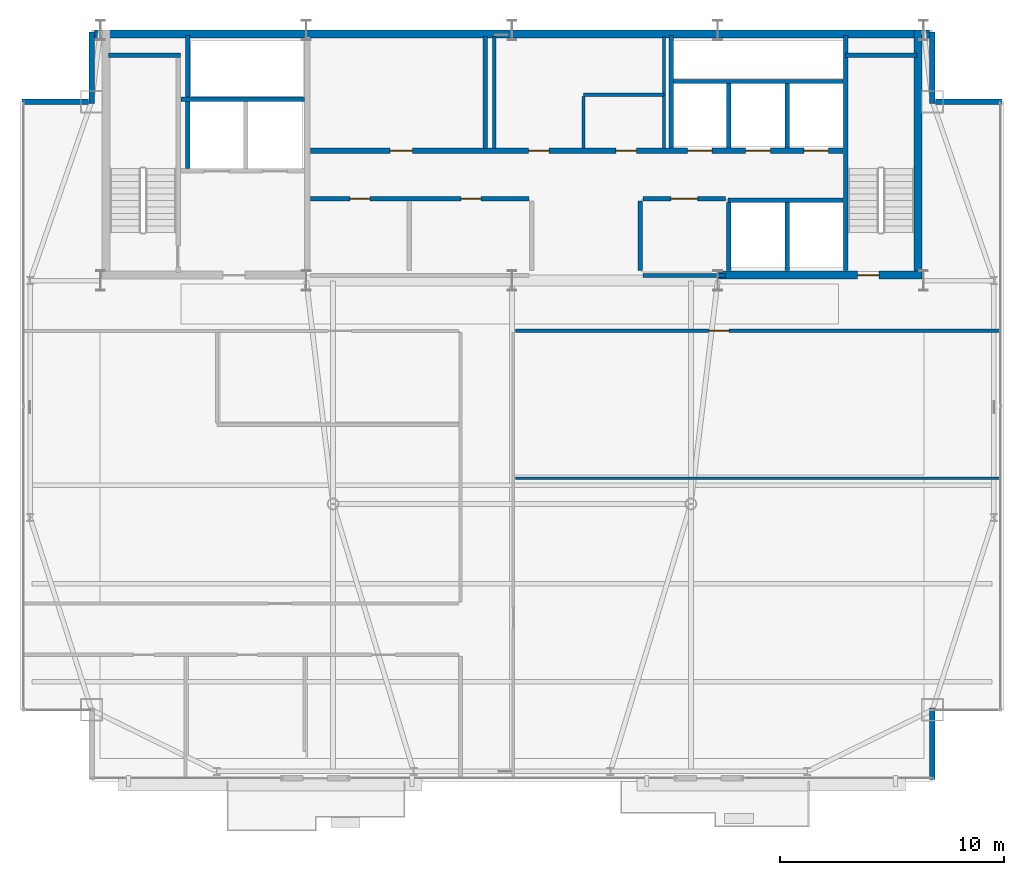
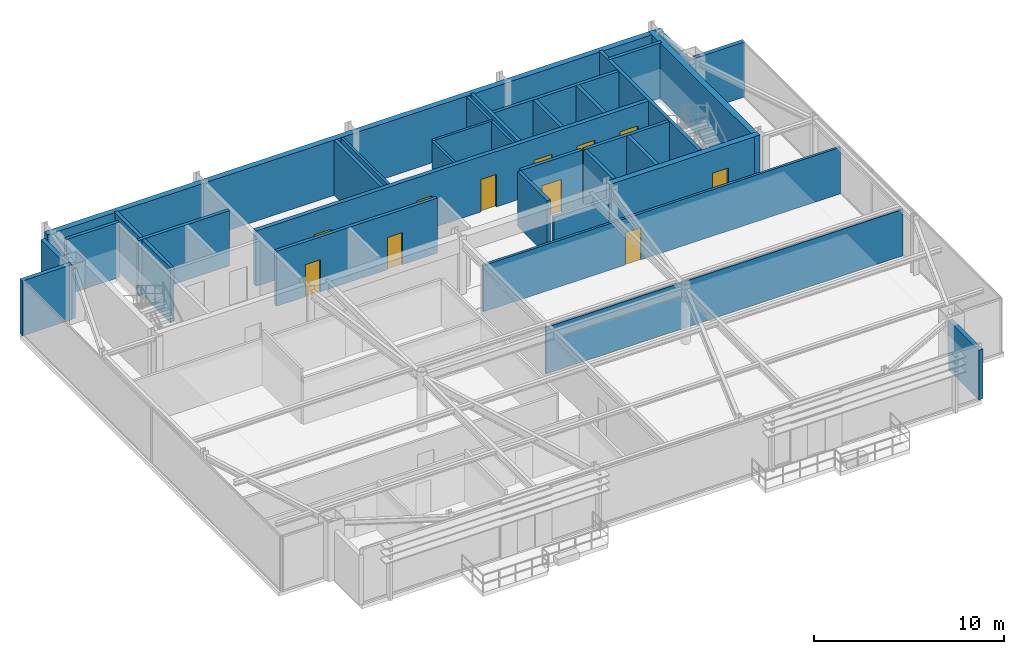
# One storey, part 21 of 24: 32 walls, 11 doors, 11 openings.
"""IFC4 building model written with IfcOpenShell, lengths in metres."""

from ifc_helpers import new_model, si_unit, direction, frame, frame_2d, origin, place, context, subcontext, project, spatial, rectangle, extrude, source, transform, mapped, material, layer, layer_set, type_object, type_shapes, element, fill, save


model = new_model("IFC4")

# Units and contexts
model_context = context("Model", 3, precision=1e-05, world=origin(), true_north=direction((0.0, 1.0)))
body_context = subcontext(model_context, "Body", "Model", "MODEL_VIEW")
ifc_project = project(units=[si_unit("LENGTHUNIT", "METRE"), si_unit("AREAUNIT", "SQUARE_METRE"), si_unit("VOLUMEUNIT", "CUBIC_METRE"), si_unit("PLANEANGLEUNIT", "RADIAN"), si_unit("MASSUNIT", "GRAM", prefix="KILO")], contexts=[model_context])

# Site, building, storey
site_placement = place(None, origin())
site = spatial("IfcSite", under=ifc_project, at=site_placement, CompositionType="ELEMENT")
building_placement = place(site_placement, origin())
building = spatial("IfcBuilding", under=site, at=building_placement, Name="Varnel Quay Broadcast Tower", CompositionType="ELEMENT")
storey_placement = place(building_placement, frame((0.0, 0.0, 281.199951171875)))
storey = spatial("IfcBuildingStorey", under=building, at=storey_placement, Name="L70", CompositionType="ELEMENT", Elevation=281.199951171875)

# Walls
ifc_material_1 = material(Name="Concrete CSA A23.3 C50/60", Category="concrete")
ifc_layer_1 = layer(ifc_material_1, 0.199951171875, Name="Concrete CSA A23.3 C50/60")
ifc_layer_set_1 = layer_set([ifc_layer_1], Name="Concrete CSA A23.3 C50/60")
wall_type_1 = type_object("IfcWallType", Name="Wall_CoreShaftShear200", PredefinedType="SHEAR", material=ifc_layer_set_1)
wall_1_placement = place(storey_placement, frame((15.949951171875, 45.679931640625, 0.0), z_axis=(0.0, 0.0, 1.0), x_axis=(1.0, 0.0, 0.0)))
element("IfcWall", 1, at=wall_1_placement, inside=storey, type_object=wall_type_1, Name="L70 Stair 1 North Structural Wall", PredefinedType="SHEAR", context=body_context, shape_type="SweptSolid", body=[
    extrude(rectangle(XDim=3.22998046875, YDim=0.199951171875, at=frame_2d((1.614990234375, 0.0))), origin(), (0.0, 0.0, 1.0), 3.550048828125),
])
wall_2_placement = place(storey_placement, frame((19.199951171875, 43.699951171875, 0.0), z_axis=(0.0, 0.0, 1.0), x_axis=(1.0, 0.0, 0.0)))
element("IfcWall", 2, at=wall_2_placement, inside=storey, type_object=wall_type_1, Name="L70 Firefighter Lift Shaft Rear Wall", PredefinedType="SHEAR", context=body_context, shape_type="SweptSolid", body=[
    extrude(rectangle(XDim=5.52001953125, YDim=0.199951171875, at=frame_2d((2.760009765625, 0.0))), origin(), (0.0, 0.0, 1.0), 3.550048828125),
])
wall_3_placement = place(storey_placement, frame((19.5, 40.60009765625, 0.0), z_axis=(0.0, 0.0, 1.0), x_axis=(0.0, 1.0, 0.0)))
element("IfcWall", 3, at=wall_3_placement, inside=storey, type_object=wall_type_1, Name="L70 Firefighter Lift Shaft West Wall", PredefinedType="SHEAR", context=body_context, shape_type="SweptSolid", body=[
    extrude(rectangle(XDim=5.949951171875, YDim=0.199951171875, at=frame_2d((2.97509765625, 0.0))), origin(), (0.0, 0.0, 1.0), 3.550048828125),
])
wall_4_placement = place(storey_placement, frame((48.919921875, 36.050048828125, 0.0), z_axis=(0.0, 0.0, 1.0), x_axis=(0.0, 1.0, 0.0)))
element("IfcWall", 4, at=wall_4_placement, inside=storey, type_object=wall_type_1, Name="L70 Stair 2 West Structural Wall", PredefinedType="SHEAR", context=body_context, shape_type="SweptSolid", body=[
    extrude(rectangle(XDim=10.5, YDim=0.199951171875, at=frame_2d((5.25, 0.0))), origin(), (0.0, 0.0, 1.0), 3.550048828125),
])
wall_5_placement = place(storey_placement, frame((48.919921875, 45.679931640625, 0.0), z_axis=(0.0, 0.0, 1.0), x_axis=(1.0, 0.0, 0.0)))
element("IfcWall", 5, at=wall_5_placement, inside=storey, type_object=wall_type_1, Name="L70 Stair 2 North Structural Wall", PredefinedType="SHEAR", context=body_context, shape_type="SweptSolid", body=[
    extrude(rectangle(XDim=3.18017578125, YDim=0.199951171875, at=frame_2d((1.590087890625, 0.0))), origin(), (0.0, 0.0, 1.0), 3.550048828125),
])
wall_6_placement = place(storey_placement, frame((41.219970703125, 44.5, 0.0), z_axis=(0.0, 0.0, 1.0), x_axis=(1.0, 0.0, 0.0)))
element("IfcWall", 6, at=wall_6_placement, inside=storey, type_object=wall_type_1, Name="L70 High-Rise Lift Shaft Rear Wall", PredefinedType="SHEAR", context=body_context, shape_type="SweptSolid", body=[
    extrude(rectangle(XDim=7.580078125, YDim=0.199951171875, at=frame_2d((3.7900390625, 0.0))), origin(), (0.0, 0.0, 1.0), 3.550048828125),
])
wall_7_placement = place(storey_placement, frame((41.1201171875, 41.530029296875, 0.0), z_axis=(0.0, 0.0, 1.0), x_axis=(0.0, 1.0, 0.0)))
element("IfcWall", 7, at=wall_7_placement, inside=storey, type_object=wall_type_1, Name="L70 High-Rise Lift Shaft Divider 1", PredefinedType="SHEAR", context=body_context, shape_type="SweptSolid", body=[
    extrude(rectangle(XDim=5.02001953125, YDim=0.199951171875, at=frame_2d((2.510009765625, 0.0))), origin(), (0.0, 0.0, 1.0), 3.550048828125),
])
for number, where, z_axis, x_axis, name in (
    (8, (43.699951171875, 41.530029296875, 0.0), (0.0, 0.0, 1.0), (0.0, 1.0, 0.0), "L70 High-Rise Lift Shaft Divider 2"),
    (9, (46.300048828125, 41.530029296875, 0.0), (0.0, 0.0, 1.0), (0.0, 1.0, 0.0), "L70 High-Rise Lift Shaft Divider 3"),
):
    element("IfcWall", number, at=place(storey_placement, frame(where, z_axis=z_axis, x_axis=x_axis)), inside=storey, type_object=wall_type_1, Name=name, PredefinedType="SHEAR", context=body_context, shape_type="SweptSolid", body=[
        extrude(rectangle(XDim=2.869873046875, YDim=0.199951171875, at=frame_2d((1.43505859375, 0.0))), origin(), (0.0, 0.0, 1.0), 3.550048828125),
    ])
for number, where, z_axis, x_axis, name in (
    (10, (43.699951171875, 36.050048828125, 0.0), (0.0, 0.0, 1.0), (0.0, 1.0, 0.0), "L70 Express Lift Shaft West Wall"),
    (11, (46.300048828125, 36.050048828125, 0.0), (0.0, 0.0, 1.0), (0.0, 1.0, 0.0), "L70 Express Lift Shaft Divider"),
):
    element("IfcWall", number, at=place(storey_placement, frame(where, z_axis=z_axis, x_axis=x_axis)), inside=storey, type_object=wall_type_1, Name=name, PredefinedType="SHEAR", context=body_context, shape_type="SweptSolid", body=[
        extrude(rectangle(XDim=3.050048828125, YDim=0.199951171875, at=frame_2d((1.52490234375, 0.0))), origin(), (0.0, 0.0, 1.0), 3.550048828125),
    ])
wall_8_placement = place(storey_placement, frame((43.64990234375, 39.199951171875, 0.0), z_axis=(0.0, 0.0, 1.0), x_axis=(1.0, 0.0, 0.0)))
element("IfcWall", 12, at=wall_8_placement, inside=storey, type_object=wall_type_1, Name="L70 Express Lift Shaft North Front Wall", PredefinedType="SHEAR", context=body_context, shape_type="SweptSolid", body=[
    extrude(rectangle(XDim=5.150146484375, YDim=0.199951171875, at=frame_2d((2.5751953125, 0.0))), origin(), (0.0, 0.0, 1.0), 3.550048828125),
])

# Wall, openings, doors
ifc_layer_2 = layer(ifc_material_1, 0.25, Name="Concrete CSA A23.3 C50/60")
ifc_layer_set_2 = layer_set([ifc_layer_2], Name="Concrete CSA A23.3 C50/60")
wall_type_2 = type_object("IfcWallType", Name="Wall_CoreShaftShear250", PredefinedType="SHEAR", material=ifc_layer_set_2)
wall_9_placement = place(storey_placement, frame((24.97998046875, 41.39990234375, 0.0), z_axis=(0.0, 0.0, 1.0), x_axis=(1.0, 0.0, 0.0)))
wall_9 = element("IfcWall", 13, at=wall_9_placement, inside=storey, type_object=wall_type_2, Name="L70 North Lift Bank & Reclaimed Suite Wall", PredefinedType="SHEAR", context=body_context, shape_type="SweptSolid", body=[
    extrude(rectangle(XDim=23.820068359375, YDim=0.25, at=frame_2d((11.91015625, 0.0))), origin(), (0.0, 0.0, 1.0), 3.550048828125),
])
opening_1_placement = place(wall_9_placement, frame((16.8701171875, 0.0, 0.0)))
opening_1 = element("IfcOpeningElement", 14, at=opening_1_placement, cuts=wall_9, Name="Opening LD-L70-PH-01", PredefinedType="OPENING", context=body_context, shape_type="SweptSolid", body=[
    extrude(rectangle(XDim=1.10009765625, YDim=2.179931640625, at=frame_2d((0.550048828125, 1.08984375))), frame((0.0, 0.135009765625, 0.0), z_axis=(0.0, -1.0, 0.0), x_axis=(1.0, 0.0, 0.0)), (0.0, 0.0, 1.0), 0.27001953125),
])
opening_2_placement = place(wall_9_placement, frame((19.469970703125, 0.0, 0.0)))
opening_2 = element("IfcOpeningElement", 15, at=opening_2_placement, cuts=wall_9, Name="Opening LD-L70-PH-02", PredefinedType="OPENING", context=body_context, shape_type="SweptSolid", body=[
    extrude(rectangle(XDim=1.10009765625, YDim=2.179931640625, at=frame_2d((0.550048828125, 1.08984375))), frame((0.0, 0.135009765625, 0.0), z_axis=(0.0, -1.0, 0.0), x_axis=(1.0, 0.0, 0.0)), (0.0, 0.0, 1.0), 0.27001953125),
])
opening_3_placement = place(wall_9_placement, frame((22.070068359375, 0.0, 0.0)))
opening_3 = element("IfcOpeningElement", 16, at=opening_3_placement, cuts=wall_9, Name="Opening LD-L70-PH-03", PredefinedType="OPENING", context=body_context, shape_type="SweptSolid", body=[
    extrude(rectangle(XDim=1.10009765625, YDim=2.179931640625, at=frame_2d((0.550048828125, 1.08984375))), frame((0.0, 0.135009765625, 0.0), z_axis=(0.0, -1.0, 0.0), x_axis=(1.0, 0.0, 0.0)), (0.0, 0.0, 1.0), 0.27001953125),
])
opening_4_placement = place(wall_9_placement, frame((3.56005859375, 0.0, 0.0)))
opening_4 = element("IfcOpeningElement", 17, at=opening_4_placement, cuts=wall_9, Name="Opening D-L70-RECA1", PredefinedType="OPENING", context=body_context, shape_type="SweptSolid", body=[
    extrude(rectangle(XDim=1.0, YDim=2.080078125, at=frame_2d((0.5, 1.0400390625))), frame((0.0, 0.135009765625, 0.0), z_axis=(0.0, -1.0, 0.0), x_axis=(1.0, 0.0, 0.0)), (0.0, 0.0, 1.0), 0.27001953125),
])
opening_5_placement = place(wall_9_placement, frame((9.760009765625, 0.0, 0.0)))
opening_5 = element("IfcOpeningElement", 18, at=opening_5_placement, cuts=wall_9, Name="Opening D-L70-RECB1", PredefinedType="OPENING", context=body_context, shape_type="SweptSolid", body=[
    extrude(rectangle(XDim=0.919921875, YDim=2.080078125, at=frame_2d((0.4599609375, 1.0400390625))), frame((0.0, 0.135009765625, 0.0), z_axis=(0.0, -1.0, 0.0), x_axis=(1.0, 0.0, 0.0)), (0.0, 0.0, 1.0), 0.27001953125),
])
opening_6_placement = place(wall_9_placement, frame((13.659912109375, 0.0, 0.0)))
opening_6 = element("IfcOpeningElement", 19, at=opening_6_placement, cuts=wall_9, Name="Opening D-L70-RECB2", PredefinedType="OPENING", context=body_context, shape_type="SweptSolid", body=[
    extrude(rectangle(XDim=0.919921875, YDim=2.080078125, at=frame_2d((0.4599609375, 1.0400390625))), frame((0.0, 0.135009765625, 0.0), z_axis=(0.0, -1.0, 0.0), x_axis=(1.0, 0.0, 0.0)), (0.0, 0.0, 1.0), 0.27001953125),
])
ifc_material_2 = material(Name="Brushed Bronze-Stainless Lift Car & Sliding Doors", Category="steel")
door_type_1 = type_object("IfcDoorType", Name="Door_LiftLanding1100", OperationType="SLIDING_TO_LEFT", PredefinedType="DOOR", material=ifc_material_2)
shared_shape_1 = source(origin(), body_context, "Body", "SweptSolid", [
    extrude(rectangle(XDim=1.10009765625, YDim=2.179931640625, at=frame_2d((0.550048828125, 1.08984375))), frame((0.0, 0.02490234375, 0.0), z_axis=(0.0, -1.0, 0.0), x_axis=(1.0, 0.0, 0.0)), (0.0, 0.0, 1.0), 0.050048828125),
])
type_shapes(door_type_1, [shared_shape_1])
door_1_placement = place(opening_1_placement, frame((1.10009765625, 0.0, 0.0), z_axis=(0.0, 0.0, 1.0), x_axis=(-1.0, 0.0, 0.0)))
door_1 = element("IfcDoor", 20, at=door_1_placement, inside=storey, type_object=door_type_1, Name="L70 Lift PH-01 Landing Door", OperationType="SLIDING_TO_LEFT", OverallHeight=2.179931640625, OverallWidth=1.10009765625, PredefinedType="DOOR", context=body_context, shape_type="MappedRepresentation", body=[
    mapped(shared_shape_1, transform((0.0, 0.0, 0.0), x_axis=(1.0, 0.0, 0.0), y_axis=(0.0, 1.0, 0.0), z_axis=(0.0, 0.0, 1.0), scale=1.0)),
])
fill(opening_1, door_1)
door_2_placement = place(opening_2_placement, frame((1.10009765625, 0.0, 0.0), z_axis=(0.0, 0.0, 1.0), x_axis=(-1.0, 0.0, 0.0)))
door_2 = element("IfcDoor", 21, at=door_2_placement, inside=storey, type_object=door_type_1, Name="L70 Lift PH-02 Landing Door", OperationType="SLIDING_TO_LEFT", OverallHeight=2.179931640625, OverallWidth=1.10009765625, PredefinedType="DOOR", context=body_context, shape_type="MappedRepresentation", body=[
    mapped(shared_shape_1, transform((0.0, 0.0, 0.0), x_axis=(1.0, 0.0, 0.0), y_axis=(0.0, 1.0, 0.0), z_axis=(0.0, 0.0, 1.0), scale=1.0)),
])
fill(opening_2, door_2)
door_3_placement = place(opening_3_placement, frame((1.10009765625, 0.0, 0.0), z_axis=(0.0, 0.0, 1.0), x_axis=(-1.0, 0.0, 0.0)))
door_3 = element("IfcDoor", 22, at=door_3_placement, inside=storey, type_object=door_type_1, Name="L70 Lift PH-03 Landing Door", OperationType="SLIDING_TO_LEFT", OverallHeight=2.179931640625, OverallWidth=1.10009765625, PredefinedType="DOOR", context=body_context, shape_type="MappedRepresentation", body=[
    mapped(shared_shape_1, transform((0.0, 0.0, 0.0), x_axis=(1.0, 0.0, 0.0), y_axis=(0.0, 1.0, 0.0), z_axis=(0.0, 0.0, 1.0), scale=1.0)),
])
fill(opening_3, door_3)
ifc_material_3 = material(Name="Insulated Fire-Rated Hollow Steel Door", Category="steel")
door_type_2 = type_object("IfcDoorType", Name="Door_FireLobby1000", OperationType="NOTDEFINED", PredefinedType="DOOR", material=ifc_material_3)
shared_shape_2 = source(origin(), body_context, "Body", "SweptSolid", [
    extrude(rectangle(XDim=1.0, YDim=2.080078125, at=frame_2d((0.5, 1.0400390625))), frame((0.0, 0.02490234375, 0.0), z_axis=(0.0, -1.0, 0.0), x_axis=(1.0, 0.0, 0.0)), (0.0, 0.0, 1.0), 0.050048828125),
])
type_shapes(door_type_2, [shared_shape_2])
door_4_placement = place(opening_4_placement, origin())
door_4 = element("IfcDoor", 23, at=door_4_placement, inside=storey, type_object=door_type_2, Name="L70 Broadcast Ingest Server Hall Door", OperationType="SINGLE_SWING_LEFT", OverallHeight=2.080078125, OverallWidth=1.0, PredefinedType="DOOR", context=body_context, shape_type="MappedRepresentation", body=[
    mapped(shared_shape_2, transform((0.0, 0.0, 0.0), x_axis=(1.0, 0.0, 0.0), y_axis=(0.0, 1.0, 0.0), z_axis=(0.0, 0.0, 1.0), scale=1.0)),
])
fill(opening_4, door_4)
ifc_material_4 = material(Name="Solid-Core Fire-Rated Acoustic Oak Veneer Door", Category="wood")
door_type_3 = type_object("IfcDoorType", Name="Door_Office920", OperationType="NOTDEFINED", PredefinedType="DOOR", material=ifc_material_4)
shared_shape_3 = source(origin(), body_context, "Body", "SweptSolid", [
    extrude(rectangle(XDim=0.919921875, YDim=2.080078125, at=frame_2d((0.4599609375, 1.0400390625))), frame((0.0, 0.02490234375, 0.0), z_axis=(0.0, -1.0, 0.0), x_axis=(1.0, 0.0, 0.0)), (0.0, 0.0, 1.0), 0.050048828125),
])
type_shapes(door_type_3, [shared_shape_3])
door_5_placement = place(opening_5_placement, origin())
door_5 = element("IfcDoor", 24, at=door_5_placement, inside=storey, type_object=door_type_3, Name="L70 Acoustic Rack & Patch Suite Door", OperationType="SINGLE_SWING_RIGHT", OverallHeight=2.080078125, OverallWidth=0.919921875, PredefinedType="DOOR", context=body_context, shape_type="MappedRepresentation", body=[
    mapped(shared_shape_3, transform((0.0, 0.0, 0.0), x_axis=(1.0, 0.0, 0.0), y_axis=(0.0, 1.0, 0.0), z_axis=(0.0, 0.0, 1.0), scale=1.0)),
])
fill(opening_5, door_5)
door_6_placement = place(opening_6_placement, origin())
door_6 = element("IfcDoor", 25, at=door_6_placement, inside=storey, type_object=door_type_3, Name="L70 Production Tea Pantry Door", OperationType="SINGLE_SWING_LEFT", OverallHeight=2.080078125, OverallWidth=0.919921875, PredefinedType="DOOR", context=body_context, shape_type="MappedRepresentation", body=[
    mapped(shared_shape_3, transform((0.0, 0.0, 0.0), x_axis=(1.0, 0.0, 0.0), y_axis=(0.0, 1.0, 0.0), z_axis=(0.0, 0.0, 1.0), scale=1.0)),
])
fill(opening_6, door_6)

# Walls
ifc_layer_3 = layer(ifc_material_1, 0.35009765625, Name="Concrete CSA A23.3 C50/60")
ifc_layer_set_3 = layer_set([ifc_layer_3], Name="Concrete CSA A23.3 C50/60")
wall_type_3 = type_object("IfcWallType", Name="Wall_CoreShearExt350", PredefinedType="SHEAR", material=ifc_layer_set_3)
wall_10_placement = place(storey_placement, frame((15.324951171875, 46.625, 0.0), z_axis=(0.0, 0.0, 1.0), x_axis=(1.0, 0.0, 0.0)))
element("IfcWall", 26, at=wall_10_placement, inside=storey, type_object=wall_type_3, Name="L70 North Core Shear Wall", PredefinedType="SHEAR", context=body_context, shape_type="SweptSolid", body=[
    extrude(rectangle(XDim=37.35009765625, YDim=0.35009765625, at=frame_2d((18.675048828125, 0.0))), origin(), (0.0, 0.0, 1.0), 3.550048828125),
])
ifc_layer_4 = layer(ifc_material_1, 0.35009765625, Name="Concrete CSA A23.3 C50/60")
ifc_layer_set_4 = layer_set([ifc_layer_4], Name="Concrete CSA A23.3 C50/60")
wall_type_4 = type_object("IfcWallType", Name="Wall_CoreShearInt350", PredefinedType="SHEAR", material=ifc_layer_set_4)
wall_11_placement = place(storey_placement, frame((52.155029296875, 35.669921875, 0.0), z_axis=(0.0, 0.0, 1.0), x_axis=(0.0, 1.0, 0.0)))
element("IfcWall", 27, at=wall_11_placement, inside=storey, type_object=wall_type_4, Name="L70 East Core Shear Wall", PredefinedType="SHEAR", context=body_context, shape_type="SweptSolid", body=[
    extrude(rectangle(XDim=11.130126953125, YDim=0.35009765625, at=frame_2d((5.56494140625, 0.0))), origin(), (0.0, 0.0, 1.0), 3.550048828125),
])

# Wall, opening, door
wall_12_placement = place(storey_placement, frame((43.199951171875, 35.844970703125, 0.0), z_axis=(0.0, 0.0, 1.0), x_axis=(1.0, 0.0, 0.0)))
wall_12 = element("IfcWall", 28, at=wall_12_placement, inside=storey, type_object=wall_type_4, Name="L70 South-East Core Shear Wall", PredefinedType="SHEAR", context=body_context, shape_type="SweptSolid", body=[
    extrude(rectangle(XDim=9.130126953125, YDim=0.35009765625, at=frame_2d((4.56494140625, 0.0))), origin(), (0.0, 0.0, 1.0), 3.550048828125),
])
opening_7_placement = place(wall_12_placement, frame((6.25, 0.0, 0.0)))
opening_7 = element("IfcOpeningElement", 29, at=opening_7_placement, cuts=wall_12, Name="Opening D-L70-S2", PredefinedType="OPENING", context=body_context, shape_type="SweptSolid", body=[
    extrude(rectangle(XDim=0.949951171875, YDim=2.10009765625, at=frame_2d((0.47509765625, 1.050048828125))), frame((0.0, 0.18505859375, 0.0), z_axis=(0.0, -1.0, 0.0), x_axis=(1.0, 0.0, 0.0)), (0.0, 0.0, 1.0), 0.3701171875),
])
door_type_4 = type_object("IfcDoorType", Name="Door_FireStair950", OperationType="NOTDEFINED", PredefinedType="DOOR", material=ifc_material_3)
shared_shape_4 = source(origin(), body_context, "Body", "SweptSolid", [
    extrude(rectangle(XDim=0.949951171875, YDim=2.10009765625, at=frame_2d((0.47509765625, 1.050048828125))), frame((0.0, 0.02490234375, 0.0), z_axis=(0.0, -1.0, 0.0), x_axis=(1.0, 0.0, 0.0)), (0.0, 0.0, 1.0), 0.050048828125),
])
type_shapes(door_type_4, [shared_shape_4])
door_7_placement = place(opening_7_placement, origin())
door_7 = element("IfcDoor", 30, at=door_7_placement, inside=storey, type_object=door_type_4, Name="L70 Stair 2 Fire Door", OperationType="SINGLE_SWING_RIGHT", OverallHeight=2.10009765625, OverallWidth=0.949951171875, PredefinedType="DOOR", context=body_context, shape_type="MappedRepresentation", body=[
    mapped(shared_shape_4, transform((0.0, 0.0, 0.0), x_axis=(1.0, 0.0, 0.0), y_axis=(0.0, 1.0, 0.0), z_axis=(0.0, 0.0, 1.0), scale=1.0)),
])
fill(opening_7, door_7)

# Walls
ifc_material_5 = material(Name="Precast Architectural Concrete C40/50", Category="concrete")
ifc_layer_5 = layer(ifc_material_5, 0.25, Name="Precast Architectural Concrete C40/50")
ifc_layer_set_5 = layer_set([ifc_layer_5], Name="Precast Architectural Concrete C40/50")
wall_type_5 = type_object("IfcWallType", Name="Wall_ExtTerrace250", PredefinedType="SOLIDWALL", material=ifc_layer_set_5)
wall_13_placement = place(storey_placement, frame((52.800048828125, 13.280029296875, 0.0), z_axis=(0.0, 0.0, 1.0), x_axis=(0.0, 1.0, 0.0)))
element("IfcWall", 31, at=wall_13_placement, inside=storey, type_object=wall_type_5, Name="L70 Mega-Column Notch Cladding Wall NSE2", PredefinedType="SOLIDWALL", context=body_context, shape_type="SweptSolid", body=[
    extrude(rectangle(XDim=3.199951171875, YDim=0.25, at=frame_2d((1.60009765625, 0.0))), origin(), (0.0, 0.0, 1.0), 3.171142578125),
])
wall_14_placement = place(storey_placement, frame((12.080078125, 43.60009765625, 0.0), z_axis=(0.0, 0.0, 1.0), x_axis=(1.0, 0.0, 0.0)))
element("IfcWall", 32, at=wall_14_placement, inside=storey, type_object=wall_type_5, Name="L70 Mega-Column Notch Cladding Wall NNW1", PredefinedType="SOLIDWALL", context=body_context, shape_type="SweptSolid", body=[
    extrude(rectangle(XDim=2.989990234375, YDim=0.25, at=frame_2d((1.4951171875, 0.0))), origin(), (0.0, 0.0, 1.0), 3.530029296875),
])
wall_15_placement = place(storey_placement, frame((15.199951171875, 43.52001953125, 0.0), z_axis=(0.0, 0.0, 1.0), x_axis=(0.0, 1.0, 0.0)))
element("IfcWall", 33, at=wall_15_placement, inside=storey, type_object=wall_type_5, Name="L70 Mega-Column Notch Cladding Wall NNW2", PredefinedType="SOLIDWALL", context=body_context, shape_type="SweptSolid", body=[
    extrude(rectangle(XDim=3.199951171875, YDim=0.25, at=frame_2d((1.60009765625, 0.0))), origin(), (0.0, 0.0, 1.0), 3.171142578125),
])
wall_16_placement = place(storey_placement, frame((52.929931640625, 43.60009765625, 0.0), z_axis=(0.0, 0.0, 1.0), x_axis=(1.0, 0.0, 0.0)))
element("IfcWall", 34, at=wall_16_placement, inside=storey, type_object=wall_type_5, Name="L70 Mega-Column Notch Cladding Wall NNE1", PredefinedType="SOLIDWALL", context=body_context, shape_type="SweptSolid", body=[
    extrude(rectangle(XDim=2.989990234375, YDim=0.25, at=frame_2d((1.4951171875, 0.0))), origin(), (0.0, 0.0, 1.0), 3.530029296875),
])
wall_17_placement = place(storey_placement, frame((52.800048828125, 43.52001953125, 0.0), z_axis=(0.0, 0.0, 1.0), x_axis=(0.0, 1.0, 0.0)))
element("IfcWall", 35, at=wall_17_placement, inside=storey, type_object=wall_type_5, Name="L70 Mega-Column Notch Cladding Wall NNE2", PredefinedType="SOLIDWALL", context=body_context, shape_type="SweptSolid", body=[
    extrude(rectangle(XDim=3.199951171875, YDim=0.25, at=frame_2d((1.60009765625, 0.0))), origin(), (0.0, 0.0, 1.0), 3.171142578125),
])
ifc_material_6 = material(Name="Concrete Blockwork Fire Enclosure C40/50", Category="masonry")
ifc_layer_6 = layer(ifc_material_6, 0.199951171875, Name="Concrete Blockwork Fire Enclosure C40/50")
ifc_layer_set_6 = layer_set([ifc_layer_6], Name="Concrete Blockwork Fire Enclosure C40/50")
wall_type_6 = type_object("IfcWallType", Name="Wall_FireShaft200", PredefinedType="SOLIDWALL", material=ifc_layer_set_6)
wall_18_placement = place(storey_placement, frame((39.85009765625, 35.824951171875, 0.0), z_axis=(0.0, 0.0, 1.0), x_axis=(1.0, 0.0, 0.0)))
element("IfcWall", 36, at=wall_18_placement, inside=storey, type_object=wall_type_6, Name="L70 Electrical Sub-Distribution Closet Partition 5", PredefinedType="SOLIDWALL", context=body_context, shape_type="SweptSolid", body=[
    extrude(rectangle(XDim=3.699951171875, YDim=0.199951171875, at=frame_2d((1.85009765625, 0.0))), origin(), (0.0, 0.0, 1.0), 2.574951171875),
])

# Wall, opening, door
wall_19_placement = place(storey_placement, frame((39.85009765625, 39.25, 0.0), z_axis=(0.0, 0.0, 1.0), x_axis=(1.0, 0.0, 0.0)))
wall_19 = element("IfcWall", 37, at=wall_19_placement, inside=storey, type_object=wall_type_6, Name="L70 Electrical Sub-Distribution Closet Partition 6", PredefinedType="SOLIDWALL", context=body_context, shape_type="SweptSolid", body=[
    extrude(rectangle(XDim=3.699951171875, YDim=0.199951171875, at=frame_2d((1.85009765625, 0.0))), origin(), (0.0, 0.0, 1.0), 3.530029296875),
])
opening_8_placement = place(wall_19_placement, frame((1.25, 0.0, 0.0)))
opening_8 = element("IfcOpeningElement", 38, at=opening_8_placement, cuts=wall_19, Name="Opening D-L70-03", PredefinedType="OPENING", context=body_context, shape_type="SweptSolid", body=[
    extrude(rectangle(XDim=1.199951171875, YDim=2.10009765625, at=frame_2d((0.60009765625, 1.050048828125))), frame((0.0, 0.10986328125, 0.0), z_axis=(0.0, -1.0, 0.0), x_axis=(1.0, 0.0, 0.0)), (0.0, 0.0, 1.0), 0.219970703125),
])
door_type_5 = type_object("IfcDoorType", Name="Door_Plant1200", OperationType="NOTDEFINED", PredefinedType="DOOR", material=ifc_material_3)
shared_shape_5 = source(origin(), body_context, "Body", "SweptSolid", [
    extrude(rectangle(XDim=1.199951171875, YDim=2.10009765625, at=frame_2d((0.60009765625, 1.050048828125))), frame((0.0, 0.02490234375, 0.0), z_axis=(0.0, -1.0, 0.0), x_axis=(1.0, 0.0, 0.0)), (0.0, 0.0, 1.0), 0.050048828125),
])
type_shapes(door_type_5, [shared_shape_5])
door_8_placement = place(opening_8_placement, origin())
door_8 = element("IfcDoor", 39, at=door_8_placement, inside=storey, type_object=door_type_5, Name="L70 Electrical Sub-Distribution Closet Door D-L70-03", OperationType="SINGLE_SWING_RIGHT", OverallHeight=2.10009765625, OverallWidth=1.199951171875, PredefinedType="DOOR", context=body_context, shape_type="MappedRepresentation", body=[
    mapped(shared_shape_5, transform((0.0, 0.0, 0.0), x_axis=(1.0, 0.0, 0.0), y_axis=(0.0, 1.0, 0.0), z_axis=(0.0, 0.0, 1.0), scale=1.0)),
])
fill(opening_8, door_8)

# Walls
wall_20_placement = place(storey_placement, frame((39.72509765625, 36.050048828125, 0.0), z_axis=(0.0, 0.0, 1.0), x_axis=(0.0, 1.0, 0.0)))
element("IfcWall", 40, at=wall_20_placement, inside=storey, type_object=wall_type_6, Name="L70 Electrical Sub-Distribution Closet Partition 7", PredefinedType="SOLIDWALL", context=body_context, shape_type="SweptSolid", body=[
    extrude(rectangle(XDim=3.099853515625, YDim=0.199951171875, at=frame_2d((1.5498046875, 0.0))), origin(), (0.0, 0.0, 1.0), 3.530029296875),
])
wall_21_placement = place(storey_placement, frame((32.800048828125, 41.5, 0.0), z_axis=(0.0, 0.0, 1.0), x_axis=(0.0, 1.0, 0.0)))
element("IfcWall", 41, at=wall_21_placement, inside=storey, type_object=wall_type_6, Name="L70 Broadcast Ingest Server Hall Partition 20", PredefinedType="SOLIDWALL", context=body_context, shape_type="SweptSolid", body=[
    extrude(rectangle(XDim=5.02001953125, YDim=0.199951171875, at=frame_2d((2.510009765625, 0.0))), origin(), (0.0, 0.0, 1.0), 3.530029296875),
])
ifc_material_7 = material(Name="Steel-Stud Fire-Rated Acoustic Gypsum Partition Assembly", Category="steel")
ifc_layer_7 = layer(ifc_material_7, 0.10498046875, Name="Steel-Stud Fire-Rated Acoustic Gypsum Partition Assembly")
ifc_layer_set_7 = layer_set([ifc_layer_7], Name="Steel-Stud Fire-Rated Acoustic Gypsum Partition Assembly")
wall_type_7 = type_object("IfcWallType", Name="Wall_Partition105", PredefinedType="PARTITIONING", material=ifc_layer_set_7)
wall_22_placement = place(storey_placement, frame((34.14990234375, 26.760009765625, 0.0), z_axis=(0.0, 0.0, 1.0), x_axis=(1.0, 0.0, 0.0)))
element("IfcWall", 42, at=wall_22_placement, inside=storey, type_object=wall_type_7, Name="L70 Camera Locker Store 6 Partition 17", PredefinedType="PARTITIONING", context=body_context, shape_type="SweptSolid", body=[
    extrude(rectangle(XDim=21.670166015625, YDim=0.10498046875, at=frame_2d((10.8349609375, 0.0))), origin(), (0.0, 0.0, 1.0), 2.98095703125),
])

# Wall, opening, door
ifc_layer_8 = layer(ifc_material_7, 0.14990234375, Name="Steel-Stud Fire-Rated Acoustic Gypsum Partition Assembly")
ifc_layer_set_8 = layer_set([ifc_layer_8], Name="Steel-Stud Fire-Rated Acoustic Gypsum Partition Assembly")
wall_type_8 = type_object("IfcWallType", Name="Wall_Partition150", PredefinedType="PARTITIONING", material=ifc_layer_set_8)
wall_23_placement = place(storey_placement, frame((34.14990234375, 33.35009765625, 0.0), z_axis=(0.0, 0.0, 1.0), x_axis=(1.0, 0.0, 0.0)))
wall_23 = element("IfcWall", 43, at=wall_23_placement, inside=storey, type_object=wall_type_8, Name="L70 Broadcast Newsroom 7 Partition 19", PredefinedType="PARTITIONING", context=body_context, shape_type="SweptSolid", body=[
    extrude(rectangle(XDim=21.670166015625, YDim=0.14990234375, at=frame_2d((10.8349609375, 0.0))), origin(), (0.0, 0.0, 1.0), 2.98095703125),
])
opening_9_placement = place(wall_23_placement, frame((8.639892578125, 0.0, 0.0)))
opening_9 = element("IfcOpeningElement", 44, at=opening_9_placement, cuts=wall_23, Name="Opening D-L70-10", PredefinedType="OPENING", context=body_context, shape_type="SweptSolid", body=[
    extrude(rectangle(XDim=0.919921875, YDim=2.080078125, at=frame_2d((0.4599609375, 1.0400390625))), frame((0.0, 0.0849609375, 0.0), z_axis=(0.0, -1.0, 0.0), x_axis=(1.0, 0.0, 0.0)), (0.0, 0.0, 1.0), 0.169921875),
])
door_9_placement = place(opening_9_placement, frame((0.919921875, 0.0, 0.0), z_axis=(0.0, 0.0, 1.0), x_axis=(-1.0, 0.0, 0.0)))
door_9 = element("IfcDoor", 45, at=door_9_placement, inside=storey, type_object=door_type_3, Name="L70 Broadcast Newsroom 7 Door D-L70-10", OperationType="SINGLE_SWING_LEFT", OverallHeight=2.080078125, OverallWidth=0.919921875, PredefinedType="DOOR", context=body_context, shape_type="MappedRepresentation", body=[
    mapped(shared_shape_3, transform((0.0, 0.0, 0.0), x_axis=(1.0, 0.0, 0.0), y_axis=(0.0, 1.0, 0.0), z_axis=(0.0, 0.0, 1.0), scale=1.0)),
])
fill(opening_9, door_9)

# Walls
wall_24_placement = place(storey_placement, frame((37.199951171875, 41.5, 0.0), z_axis=(0.0, 0.0, 1.0), x_axis=(0.0, 1.0, 0.0)))
element("IfcWall", 46, at=wall_24_placement, inside=storey, type_object=wall_type_8, Name="L70 Acoustic Rack & Patch Suite Partition 21", PredefinedType="PARTITIONING", context=body_context, shape_type="SweptSolid", body=[
    extrude(rectangle(XDim=2.324951171875, YDim=0.14990234375, at=frame_2d((1.16259765625, 0.0))), origin(), (0.0, 0.0, 1.0), 3.530029296875),
])
wall_25_placement = place(storey_placement, frame((37.199951171875, 43.89990234375, 0.0), z_axis=(0.0, 0.0, 1.0), x_axis=(1.0, 0.0, 0.0)))
element("IfcWall", 47, at=wall_25_placement, inside=storey, type_object=wall_type_8, Name="L70 Acoustic Rack & Patch Suite Partition 22", PredefinedType="PARTITIONING", context=body_context, shape_type="SweptSolid", body=[
    extrude(rectangle(XDim=3.60009765625, YDim=0.14990234375, at=frame_2d((1.800048828125, 0.0))), origin(), (0.0, 0.0, 1.0), 3.530029296875),
])
for number, where, z_axis, x_axis, name in (
    (48, (40.800048828125, 41.5, 0.0), (0.0, 0.0, 1.0), (0.0, 1.0, 0.0), "L70 Acoustic Rack & Patch Suite Partition 23"),
    (49, (33.199951171875, 41.5, 0.0), (0.0, 0.0, 1.0), (0.0, 1.0, 0.0), "L70 Acoustic Rack & Patch Suite Partition 24"),
):
    element("IfcWall", number, at=place(storey_placement, frame(where, z_axis=z_axis, x_axis=x_axis)), inside=storey, type_object=wall_type_8, Name=name, PredefinedType="PARTITIONING", context=body_context, shape_type="SweptSolid", body=[
        extrude(rectangle(XDim=5.02001953125, YDim=0.14990234375, at=frame_2d((2.510009765625, 0.0))), origin(), (0.0, 0.0, 1.0), 3.530029296875),
    ])

# Wall, openings, doors
ifc_material_8 = material(Name="Fire-Rated Moisture-Resistant Plumbing Chase Partition")
ifc_layer_9 = layer(ifc_material_8, 0.199951171875, Name="Fire-Rated Moisture-Resistant Plumbing Chase Partition")
ifc_layer_set_9 = layer_set([ifc_layer_9], Name="Fire-Rated Moisture-Resistant Plumbing Chase Partition")
wall_type_9 = type_object("IfcWallType", Name="Wall_Plumbing200", PredefinedType="PLUMBINGWALL", material=ifc_layer_set_9)
wall_26_placement = place(storey_placement, frame((25.0, 39.25, 0.0), z_axis=(0.0, 0.0, 1.0), x_axis=(1.0, 0.0, 0.0)))
wall_26 = element("IfcWall", 50, at=wall_26_placement, inside=storey, type_object=wall_type_9, Name="L70 Accessible Washroom Partition 3", PredefinedType="PLUMBINGWALL", context=body_context, shape_type="SweptSolid", body=[
    extrude(rectangle(XDim=9.75, YDim=0.199951171875, at=frame_2d((4.875, 0.0))), origin(), (0.0, 0.0, 1.0), 3.530029296875),
])
opening_10_placement = place(wall_26_placement, frame((1.75, 0.0, 0.0)))
opening_10 = element("IfcOpeningElement", 51, at=opening_10_placement, cuts=wall_26, Name="Opening D-L70-01", PredefinedType="OPENING", context=body_context, shape_type="SweptSolid", body=[
    extrude(rectangle(XDim=0.89990234375, YDim=2.06005859375, at=frame_2d((0.449951171875, 1.030029296875))), frame((0.0, 0.10986328125, 0.0), z_axis=(0.0, -1.0, 0.0), x_axis=(1.0, 0.0, 0.0)), (0.0, 0.0, 1.0), 0.219970703125),
])
opening_11_placement = place(wall_26_placement, frame((6.72509765625, 0.0, 0.0)))
opening_11 = element("IfcOpeningElement", 52, at=opening_11_placement, cuts=wall_26, Name="Opening D-L70-02", PredefinedType="OPENING", context=body_context, shape_type="SweptSolid", body=[
    extrude(rectangle(XDim=0.89990234375, YDim=2.06005859375, at=frame_2d((0.449951171875, 1.030029296875))), frame((0.0, 0.10986328125, 0.0), z_axis=(0.0, -1.0, 0.0), x_axis=(1.0, 0.0, 0.0)), (0.0, 0.0, 1.0), 0.219970703125),
])
door_type_6 = type_object("IfcDoorType", Name="Door_Washroom900", OperationType="NOTDEFINED", PredefinedType="DOOR", material=ifc_material_4)
shared_shape_6 = source(origin(), body_context, "Body", "SweptSolid", [
    extrude(rectangle(XDim=0.89990234375, YDim=2.06005859375, at=frame_2d((0.449951171875, 1.030029296875))), frame((0.0, 0.02490234375, 0.0), z_axis=(0.0, -1.0, 0.0), x_axis=(1.0, 0.0, 0.0)), (0.0, 0.0, 1.0), 0.050048828125),
])
type_shapes(door_type_6, [shared_shape_6])
door_10_placement = place(opening_10_placement, frame((0.89990234375, 0.0, 0.0), z_axis=(0.0, 0.0, 1.0), x_axis=(-1.0, 0.0, 0.0)))
door_10 = element("IfcDoor", 53, at=door_10_placement, inside=storey, type_object=door_type_6, Name="L70 Accessible Washroom Door D-L70-01", OperationType="SINGLE_SWING_RIGHT", OverallHeight=2.06005859375, OverallWidth=0.89990234375, PredefinedType="DOOR", context=body_context, shape_type="MappedRepresentation", body=[
    mapped(shared_shape_6, transform((0.0, 0.0, 0.0), x_axis=(1.0, 0.0, 0.0), y_axis=(0.0, 1.0, 0.0), z_axis=(0.0, 0.0, 1.0), scale=1.0)),
])
fill(opening_10, door_10)
door_11_placement = place(opening_11_placement, frame((0.89990234375, 0.0, 0.0), z_axis=(0.0, 0.0, 1.0), x_axis=(-1.0, 0.0, 0.0)))
door_11 = element("IfcDoor", 54, at=door_11_placement, inside=storey, type_object=door_type_6, Name="L70 Staff Washrooms Door D-L70-02", OperationType="SINGLE_SWING_LEFT", OverallHeight=2.06005859375, OverallWidth=0.89990234375, PredefinedType="DOOR", context=body_context, shape_type="MappedRepresentation", body=[
    mapped(shared_shape_6, transform((0.0, 0.0, 0.0), x_axis=(1.0, 0.0, 0.0), y_axis=(0.0, 1.0, 0.0), z_axis=(0.0, 0.0, 1.0), scale=1.0)),
])
fill(opening_11, door_11)

save(model, "model.ifc")
